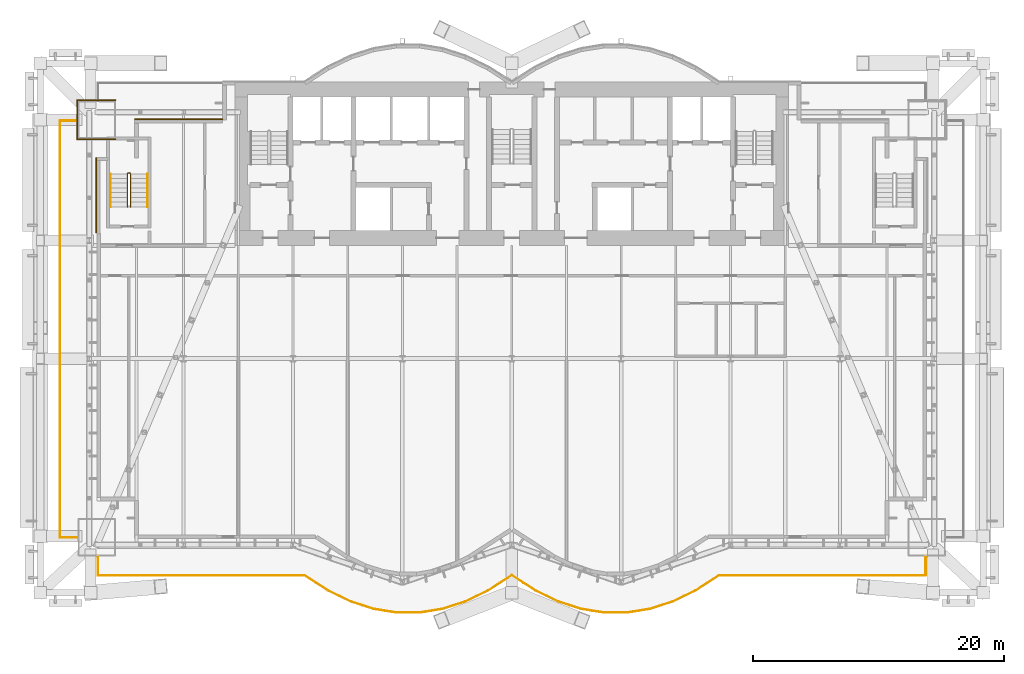
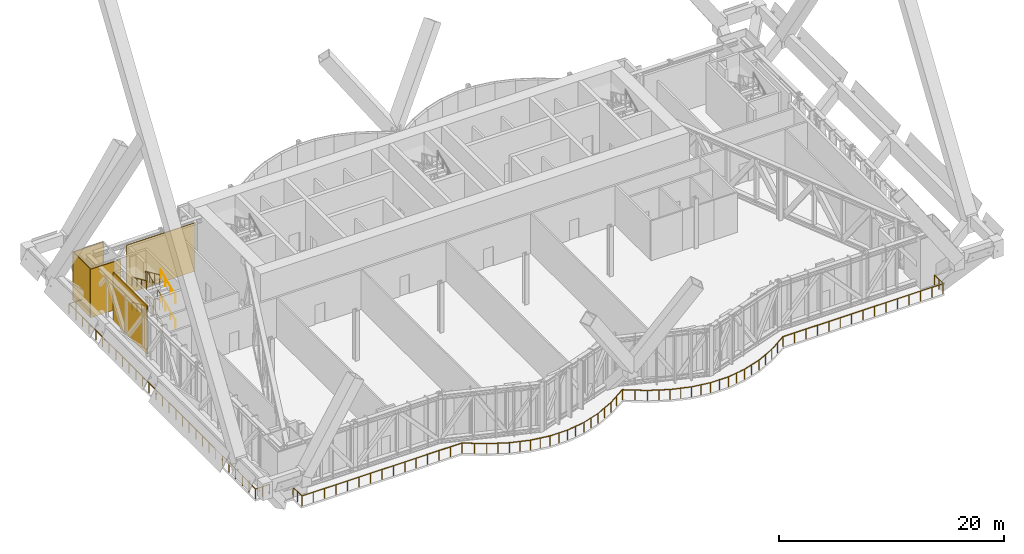
# One storey, part 30 of 32: 8 railings, 5 coverings.
"""IFC4 building model written with IfcOpenShell, lengths in metres."""

from ifc_helpers import new_model, si_unit, direction, frame, origin, origin_2d, place, context, subcontext, project, spatial, rectangle, circle, extrude, material, layer, layer_set, type_object, element, save


model = new_model("IFC4")

# Units and contexts
model_context = context("Model", 3, precision=1e-05, world=origin(), true_north=direction((0.0, 1.0)))
body_context = subcontext(model_context, "Body", "Model", "MODEL_VIEW")
ifc_project = project(units=[si_unit("LENGTHUNIT", "METRE"), si_unit("AREAUNIT", "SQUARE_METRE"), si_unit("VOLUMEUNIT", "CUBIC_METRE"), si_unit("PLANEANGLEUNIT", "RADIAN"), si_unit("MASSUNIT", "GRAM", prefix="KILO")], contexts=[model_context])

# Site, building, storey
site_placement = place(None, origin())
site = spatial("IfcSite", under=ifc_project, at=site_placement, CompositionType="ELEMENT")
building_placement = place(site_placement, origin())
building = spatial("IfcBuilding", under=site, at=building_placement, Name="Bicima Exchange Tower", CompositionType="ELEMENT")
storey_placement = place(building_placement, frame((0.0, 0.0, 84.5)))
storey = spatial("IfcBuildingStorey", under=building, at=storey_placement, Name="L17", CompositionType="ELEMENT", Elevation=84.5)

# Coverings
ifc_material_1 = material(Name="Bronze metal cladding")
ifc_layer_1 = layer(ifc_material_1, 0.004)
ifc_material_2 = material(Name="Ventilated cavity")
ifc_layer_2 = layer(ifc_material_2, 0.06)
ifc_material_3 = material(Name="Galvanised steel rail and mineral wool", Category="steel")
ifc_layer_3 = layer(ifc_material_3, 0.036)
ifc_layer_set = layer_set([ifc_layer_1, ifc_layer_2, ifc_layer_3], Name="Ventilated cavity")
covering_type = type_object("IfcCoveringType", Name="Bronze metal cladding panel 100", PredefinedType="CLADDING", material=ifc_layer_set)
covering_1_placement = place(storey_placement, frame((-26.5, -2.949951171875, 0.0), z_axis=(0.0, 0.0, 1.0), x_axis=(-1.0, 0.0, 0.0)))
element("IfcCovering", 1, at=covering_1_placement, inside=storey, type_object=covering_type, Name="Bronze cladding L17 28.1", PredefinedType="CLADDING", context=body_context, shape_type="SweptSolid", body=[
    extrude(rectangle(XDim=7.0, YDim=0.10009765625, at=origin_2d()), origin(), (0.0, 0.0, 1.0), 5.25),
])
covering_2_placement = place(storey_placement, frame((-33.050048828125, -9.0, 0.0), z_axis=(0.0, 0.0, 1.0), x_axis=(0.0, -1.0, 0.0)))
element("IfcCovering", 2, at=covering_2_placement, inside=storey, type_object=covering_type, Name="Bronze cladding L17 31.1", PredefinedType="CLADDING", context=body_context, shape_type="SweptSolid", body=[
    extrude(rectangle(XDim=6.0, YDim=0.10009765625, at=origin_2d()), origin(), (0.0, 0.0, 1.0), 5.25),
])
for number, where, z_axis, x_axis, name in (
    (3, (-33.050048828125, -1.449951171875, 0.0), (0.0, 0.0, 1.0), (1.0, 0.0, 0.0), "Column cladding L17 1N"),
    (4, (-33.050048828125, -4.550048828125, 0.0), (0.0, 0.0, 1.0), (1.0, 0.0, 0.0), "Column cladding L17 1S"),
):
    element("IfcCovering", number, at=place(storey_placement, frame(where, z_axis=z_axis, x_axis=x_axis)), inside=storey, type_object=covering_type, Name=name, PredefinedType="CLADDING", context=body_context, shape_type="SweptSolid", body=[
        extrude(rectangle(XDim=3.10009765625, YDim=0.10009765625, at=origin_2d()), origin(), (0.0, 0.0, 1.0), 5.25),
    ])
covering_3_placement = place(storey_placement, frame((-34.550048828125, -3.0, 0.0), z_axis=(0.0, 0.0, 1.0), x_axis=(1.0, 0.0, 0.0)))
element("IfcCovering", 5, at=covering_3_placement, inside=storey, type_object=covering_type, Name="Column cladding L17 1O", PredefinedType="CLADDING", context=body_context, shape_type="SweptSolid", body=[
    extrude(rectangle(XDim=0.10009765625, YDim=3.0, at=origin_2d()), origin(), (0.0, 0.0, 1.0), 5.25),
])

# Railings
ifc_material_4 = material(Name="Stainless steel", Category="steel")
railing_type_1 = type_object("IfcRailingType", Name="Stair guard 1100", PredefinedType="GUARDRAIL", material=ifc_material_4)
railing_1_placement = place(storey_placement, frame((-30.324951171875, -9.925048828125, 0.168701171875)))
element("IfcRailing", 6, at=railing_1_placement, inside=storey, type_object=railing_type_1, Name="L17 ST-WW stair guard 1", PredefinedType="GUARDRAIL", context=body_context, shape_type="SweptSolid", body=[
    extrude(circle(Radius=0.02392578125, at=origin_2d()), frame((0.0, 0.0, 1.076171875), z_axis=(0.0, 0.912201722539, 0.409741403079), x_axis=(-1.0, 0.0, 0.0)), (0.0, 0.0, 1.0), 2.88330078125),
    extrude(circle(Radius=0.02392578125, at=origin_2d()), frame((0.0, 2.630126953125, 2.25732421875), z_axis=(-0.708833529934, 0.705375805398, 0.0), x_axis=(-0.705375805398, -0.708833529934, 0.0)), (0.0, 0.0, 1.0), 0.070556640625),
    extrude(circle(Radius=0.02392578125, at=origin_2d()), frame((-0.050048828125, 2.679931640625, 2.25732421875), z_axis=(-1.0, 0.0, 0.0), x_axis=(0.0, -1.0, 0.0)), (0.0, 0.0, 1.0), 0.14990234375),
    extrude(circle(Radius=0.02392578125, at=origin_2d()), frame((-0.199951171875, 2.679931640625, 2.25732421875), z_axis=(-0.273668752699, -0.272333783174, 0.922463942026), x_axis=(0.705375805398, -0.708833529934, 0.0)), (0.0, 0.0, 1.0), 0.182861328125),
    extrude(circle(Radius=0.02392578125, at=origin_2d()), frame((-0.25, 2.630126953125, 2.42626953125), z_axis=(0.0, -0.912233369549, 0.409670940488), x_axis=(1.0, 0.0, 0.0)), (0.0, 0.0, 1.0), 2.883056640625),
    extrude(circle(Radius=0.02099609375, at=origin_2d()), origin(), (0.0, 0.0, 1.0), 1.052001953125),
    extrude(circle(Radius=0.02099609375, at=origin_2d()), frame((0.0, 0.876708984375, 0.393798828125)), (0.0, 0.0, 1.0), 1.052001953125),
    extrude(circle(Radius=0.02099609375, at=origin_2d()), frame((0.0, 1.75341796875, 0.78759765625)), (0.0, 0.0, 1.0), 1.052001953125),
    extrude(circle(Radius=0.02099609375, at=origin_2d()), frame((0.0, 2.630126953125, 1.181396484375)), (0.0, 0.0, 1.0), 1.052001953125),
    extrude(circle(Radius=0.02099609375, at=origin_2d()), frame((-0.050048828125, 2.679931640625, 1.181396484375)), (0.0, 0.0, 1.0), 1.052001953125),
    extrude(circle(Radius=0.02099609375, at=origin_2d()), frame((-0.199951171875, 2.679931640625, 1.181396484375)), (0.0, 0.0, 1.0), 1.052001953125),
    extrude(circle(Radius=0.02099609375, at=origin_2d()), frame((-0.25, 2.630126953125, 1.35009765625)), (0.0, 0.0, 1.0), 1.052001953125),
    extrude(circle(Radius=0.02099609375, at=origin_2d()), frame((-0.25, 1.75341796875, 1.743896484375)), (0.0, 0.0, 1.0), 1.052001953125),
    extrude(circle(Radius=0.02099609375, at=origin_2d()), frame((-0.25, 0.876708984375, 2.137451171875)), (0.0, 0.0, 1.0), 1.052001953125),
    extrude(circle(Radius=0.02099609375, at=origin_2d()), frame((-0.25, 0.0, 2.53125)), (0.0, 0.0, 1.0), 1.052001953125),
])
railing_2_placement = place(storey_placement, frame((-30.324951171875, -9.925048828125, 2.86865234375)))
element("IfcRailing", 7, at=railing_2_placement, inside=storey, type_object=railing_type_1, Name="L17 ST-WW stair guard 2", PredefinedType="GUARDRAIL", context=body_context, shape_type="SweptSolid", body=[
    extrude(circle(Radius=0.02392578125, at=origin_2d()), frame((0.0, 0.0, 1.076171875), z_axis=(0.0, 0.912201722539, 0.409741403079), x_axis=(-1.0, 0.0, 0.0)), (0.0, 0.0, 1.0), 2.88330078125),
    extrude(circle(Radius=0.02392578125, at=origin_2d()), frame((0.0, 2.630126953125, 2.25732421875), z_axis=(-0.708833529934, 0.705375805398, 0.0), x_axis=(-0.705375805398, -0.708833529934, 0.0)), (0.0, 0.0, 1.0), 0.070556640625),
    extrude(circle(Radius=0.02392578125, at=origin_2d()), frame((-0.050048828125, 2.679931640625, 2.25732421875), z_axis=(-1.0, 0.0, 0.0), x_axis=(0.0, -1.0, 0.0)), (0.0, 0.0, 1.0), 0.14990234375),
    extrude(circle(Radius=0.02392578125, at=origin_2d()), frame((-0.199951171875, 2.679931640625, 2.25732421875), z_axis=(-0.273668752699, -0.272333783174, 0.922463942026), x_axis=(0.705375805398, -0.708833529934, 0.0)), (0.0, 0.0, 1.0), 0.182861328125),
    extrude(circle(Radius=0.02392578125, at=origin_2d()), frame((-0.25, 2.630126953125, 2.42626953125), z_axis=(0.0, -0.912233369549, 0.409670940488), x_axis=(1.0, 0.0, 0.0)), (0.0, 0.0, 1.0), 2.883056640625),
    extrude(circle(Radius=0.02099609375, at=origin_2d()), origin(), (0.0, 0.0, 1.0), 1.052001953125),
    extrude(circle(Radius=0.02099609375, at=origin_2d()), frame((0.0, 0.876708984375, 0.393798828125)), (0.0, 0.0, 1.0), 1.052001953125),
    extrude(circle(Radius=0.02099609375, at=origin_2d()), frame((0.0, 1.75341796875, 0.78759765625)), (0.0, 0.0, 1.0), 1.052001953125),
    extrude(circle(Radius=0.02099609375, at=origin_2d()), frame((0.0, 2.630126953125, 1.181396484375)), (0.0, 0.0, 1.0), 1.052001953125),
    extrude(circle(Radius=0.02099609375, at=origin_2d()), frame((-0.050048828125, 2.679931640625, 1.181396484375)), (0.0, 0.0, 1.0), 1.052001953125),
    extrude(circle(Radius=0.02099609375, at=origin_2d()), frame((-0.199951171875, 2.679931640625, 1.181396484375)), (0.0, 0.0, 1.0), 1.052001953125),
    extrude(circle(Radius=0.02099609375, at=origin_2d()), frame((-0.25, 2.630126953125, 1.35009765625)), (0.0, 0.0, 1.0), 1.052001953125),
    extrude(circle(Radius=0.02099609375, at=origin_2d()), frame((-0.25, 1.75341796875, 1.743896484375)), (0.0, 0.0, 1.0), 1.052001953125),
    extrude(circle(Radius=0.02099609375, at=origin_2d()), frame((-0.25, 0.876708984375, 2.137451171875)), (0.0, 0.0, 1.0), 1.052001953125),
    extrude(circle(Radius=0.02099609375, at=origin_2d()), frame((-0.25, 0.0, 2.53125)), (0.0, 0.0, 1.0), 1.052001953125),
])
railing_type_2 = type_object("IfcRailingType", Name="Stair handrail 900", PredefinedType="HANDRAIL", material=ifc_material_4)
railing_3_placement = place(storey_placement, frame((-28.97509765625, -9.925048828125, 0.168701171875)))
element("IfcRailing", 8, at=railing_3_placement, inside=storey, type_object=railing_type_2, Name="L17 ST-WW stair handrail 1", PredefinedType="HANDRAIL", context=body_context, shape_type="SweptSolid", body=[
    extrude(circle(Radius=0.02392578125, at=origin_2d()), frame((0.0, 0.0, 0.8759765625), z_axis=(0.0, 0.912201722539, 0.409741403079), x_axis=(-1.0, 0.0, 0.0)), (0.0, 0.0, 1.0), 2.88330078125),
    extrude(circle(Radius=0.02099609375, at=origin_2d()), origin(), (0.0, 0.0, 1.0), 0.851806640625),
    extrude(circle(Radius=0.02099609375, at=origin_2d()), frame((0.0, 0.876708984375, 0.393798828125)), (0.0, 0.0, 1.0), 0.851806640625),
    extrude(circle(Radius=0.02099609375, at=origin_2d()), frame((0.0, 1.75341796875, 0.78759765625)), (0.0, 0.0, 1.0), 0.851806640625),
    extrude(circle(Radius=0.02099609375, at=origin_2d()), frame((0.0, 2.630126953125, 1.181396484375)), (0.0, 0.0, 1.0), 0.851806640625),
])
railing_4_placement = place(storey_placement, frame((-31.925048828125, -7.294921875, 1.518798828125)))
element("IfcRailing", 9, at=railing_4_placement, inside=storey, type_object=railing_type_2, Name="L17 ST-WW stair handrail 2", PredefinedType="HANDRAIL", context=body_context, shape_type="SweptSolid", body=[
    extrude(circle(Radius=0.02392578125, at=origin_2d()), frame((0.0, 0.0, 0.8759765625), z_axis=(0.0, -0.912233369549, 0.409670940488), x_axis=(1.0, 0.0, 0.0)), (0.0, 0.0, 1.0), 2.883056640625),
    extrude(circle(Radius=0.02099609375, at=origin_2d()), origin(), (0.0, 0.0, 1.0), 0.851806640625),
    extrude(circle(Radius=0.02099609375, at=origin_2d()), frame((0.0, -0.876708984375, 0.393798828125)), (0.0, 0.0, 1.0), 0.851806640625),
    extrude(circle(Radius=0.02099609375, at=origin_2d()), frame((0.0, -1.75341796875, 0.787353515625)), (0.0, 0.0, 1.0), 0.851806640625),
    extrude(circle(Radius=0.02099609375, at=origin_2d()), frame((0.0, -2.630126953125, 1.18115234375)), (0.0, 0.0, 1.0), 0.851806640625),
])
railing_5_placement = place(storey_placement, frame((-28.97509765625, -9.925048828125, 2.86865234375)))
element("IfcRailing", 10, at=railing_5_placement, inside=storey, type_object=railing_type_2, Name="L17 ST-WW stair handrail 3", PredefinedType="HANDRAIL", context=body_context, shape_type="SweptSolid", body=[
    extrude(circle(Radius=0.02392578125, at=origin_2d()), frame((0.0, 0.0, 0.8759765625), z_axis=(0.0, 0.912201722539, 0.409741403079), x_axis=(-1.0, 0.0, 0.0)), (0.0, 0.0, 1.0), 2.88330078125),
    extrude(circle(Radius=0.02099609375, at=origin_2d()), origin(), (0.0, 0.0, 1.0), 0.851806640625),
    extrude(circle(Radius=0.02099609375, at=origin_2d()), frame((0.0, 0.876708984375, 0.393798828125)), (0.0, 0.0, 1.0), 0.851806640625),
    extrude(circle(Radius=0.02099609375, at=origin_2d()), frame((0.0, 1.75341796875, 0.78759765625)), (0.0, 0.0, 1.0), 0.851806640625),
    extrude(circle(Radius=0.02099609375, at=origin_2d()), frame((0.0, 2.630126953125, 1.181396484375)), (0.0, 0.0, 1.0), 0.851806640625),
])
railing_6_placement = place(storey_placement, frame((-31.925048828125, -7.294921875, 4.241455078125)))
element("IfcRailing", 11, at=railing_6_placement, inside=storey, type_object=railing_type_2, Name="L17 ST-WW stair handrail 4", PredefinedType="HANDRAIL", context=body_context, shape_type="SweptSolid", body=[
    extrude(circle(Radius=0.02392578125, at=origin_2d()), frame((0.0, 0.0, 0.8759765625), z_axis=(0.0, -0.912201722539, 0.409741403079), x_axis=(1.0, 0.0, 0.0)), (0.0, 0.0, 1.0), 2.88330078125),
    extrude(circle(Radius=0.02099609375, at=origin_2d()), origin(), (0.0, 0.0, 1.0), 0.851806640625),
    extrude(circle(Radius=0.02099609375, at=origin_2d()), frame((0.0, -0.876708984375, 0.393798828125)), (0.0, 0.0, 1.0), 0.851806640625),
    extrude(circle(Radius=0.02099609375, at=origin_2d()), frame((0.0, -1.75341796875, 0.78759765625)), (0.0, 0.0, 1.0), 0.851806640625),
    extrude(circle(Radius=0.02099609375, at=origin_2d()), frame((0.0, -2.630126953125, 1.181396484375)), (0.0, 0.0, 1.0), 0.851806640625),
])
ifc_material_5 = material(Name="Stainless steel and bonded safety glass", Category="steel")
railing_type_3 = type_object("IfcRailingType", Name="Terrace guard 1100", PredefinedType="GUARDRAIL", material=ifc_material_5)
railing_7_placement = place(storey_placement, frame((-34.5, -36.236083984375, 0.0)))
element("IfcRailing", 12, at=railing_7_placement, inside=storey, type_object=railing_type_3, Name="Terrace guard L17 1", PredefinedType="GUARDRAIL", context=body_context, shape_type="SweptSolid", body=[
    extrude(circle(Radius=0.02392578125, at=origin_2d()), frame((0.0, 0.0, 1.076171875), z_axis=(-1.0, 0.0, 0.0), x_axis=(0.0, -1.0, 0.0)), (0.0, 0.0, 1.0), 1.419921875),
    extrude(circle(Radius=0.02392578125, at=origin_2d()), frame((-1.419921875, 0.0, 1.076171875), z_axis=(0.0, 1.0, 0.0), x_axis=(-1.0, 0.0, 0.0)), (0.0, 0.0, 1.0), 33.156005859375),
    extrude(circle(Radius=0.02392578125, at=origin_2d()), frame((-1.419921875, 33.156005859375, 1.076171875), z_axis=(1.0, 0.0, 0.0), x_axis=(0.0, 1.0, 0.0)), (0.0, 0.0, 1.0), 1.419921875),
    extrude(circle(Radius=0.02099609375, at=origin_2d()), origin(), (0.0, 0.0, 1.0), 1.052001953125),
    extrude(circle(Radius=0.02099609375, at=origin_2d()), frame((-0.7099609375, 0.0, 0.0)), (0.0, 0.0, 1.0), 1.052001953125),
    extrude(circle(Radius=0.02099609375, at=origin_2d()), frame((-1.419921875, 0.0, 0.0)), (0.0, 0.0, 1.0), 1.052001953125),
    extrude(circle(Radius=0.02099609375, at=origin_2d()), frame((-1.419921875, 1.18408203125, 0.0)), (0.0, 0.0, 1.0), 1.052001953125),
    extrude(circle(Radius=0.02099609375, at=origin_2d()), frame((-1.419921875, 2.3681640625, 0.0)), (0.0, 0.0, 1.0), 1.052001953125),
    extrude(circle(Radius=0.02099609375, at=origin_2d()), frame((-1.419921875, 3.552490234375, 0.0)), (0.0, 0.0, 1.0), 1.052001953125),
    extrude(circle(Radius=0.02099609375, at=origin_2d()), frame((-1.419921875, 4.736572265625, 0.0)), (0.0, 0.0, 1.0), 1.052001953125),
    extrude(circle(Radius=0.02099609375, at=origin_2d()), frame((-1.419921875, 5.920654296875, 0.0)), (0.0, 0.0, 1.0), 1.052001953125),
    extrude(circle(Radius=0.02099609375, at=origin_2d()), frame((-1.419921875, 7.10498046875, 0.0)), (0.0, 0.0, 1.0), 1.052001953125),
    extrude(circle(Radius=0.02099609375, at=origin_2d()), frame((-1.419921875, 8.2890625, 0.0)), (0.0, 0.0, 1.0), 1.052001953125),
    extrude(circle(Radius=0.02099609375, at=origin_2d()), frame((-1.419921875, 9.47314453125, 0.0)), (0.0, 0.0, 1.0), 1.052001953125),
    extrude(circle(Radius=0.02099609375, at=origin_2d()), frame((-1.419921875, 10.6572265625, 0.0)), (0.0, 0.0, 1.0), 1.052001953125),
    extrude(circle(Radius=0.02099609375, at=origin_2d()), frame((-1.419921875, 11.84130859375, 0.0)), (0.0, 0.0, 1.0), 1.052001953125),
    extrude(circle(Radius=0.02099609375, at=origin_2d()), frame((-1.419921875, 13.025634765625, 0.0)), (0.0, 0.0, 1.0), 1.052001953125),
    extrude(circle(Radius=0.02099609375, at=origin_2d()), frame((-1.419921875, 14.209716796875, 0.0)), (0.0, 0.0, 1.0), 1.052001953125),
    extrude(circle(Radius=0.02099609375, at=origin_2d()), frame((-1.419921875, 15.393798828125, 0.0)), (0.0, 0.0, 1.0), 1.052001953125),
    extrude(circle(Radius=0.02099609375, at=origin_2d()), frame((-1.419921875, 16.578125, 0.0)), (0.0, 0.0, 1.0), 1.052001953125),
    extrude(circle(Radius=0.02099609375, at=origin_2d()), frame((-1.419921875, 17.76220703125, 0.0)), (0.0, 0.0, 1.0), 1.052001953125),
    extrude(circle(Radius=0.02099609375, at=origin_2d()), frame((-1.419921875, 18.9462890625, 0.0)), (0.0, 0.0, 1.0), 1.052001953125),
    extrude(circle(Radius=0.02099609375, at=origin_2d()), frame((-1.419921875, 20.13037109375, 0.0)), (0.0, 0.0, 1.0), 1.052001953125),
    extrude(circle(Radius=0.02099609375, at=origin_2d()), frame((-1.419921875, 21.314453125, 0.0)), (0.0, 0.0, 1.0), 1.052001953125),
    extrude(circle(Radius=0.02099609375, at=origin_2d()), frame((-1.419921875, 22.498779296875, 0.0)), (0.0, 0.0, 1.0), 1.052001953125),
    extrude(circle(Radius=0.02099609375, at=origin_2d()), frame((-1.419921875, 23.682861328125, 0.0)), (0.0, 0.0, 1.0), 1.052001953125),
    extrude(circle(Radius=0.02099609375, at=origin_2d()), frame((-1.419921875, 24.866943359375, 0.0)), (0.0, 0.0, 1.0), 1.052001953125),
    extrude(circle(Radius=0.02099609375, at=origin_2d()), frame((-1.419921875, 26.05126953125, 0.0)), (0.0, 0.0, 1.0), 1.052001953125),
    extrude(circle(Radius=0.02099609375, at=origin_2d()), frame((-1.419921875, 27.2353515625, 0.0)), (0.0, 0.0, 1.0), 1.052001953125),
    extrude(circle(Radius=0.02099609375, at=origin_2d()), frame((-1.419921875, 28.41943359375, 0.0)), (0.0, 0.0, 1.0), 1.052001953125),
    extrude(circle(Radius=0.02099609375, at=origin_2d()), frame((-1.419921875, 29.603515625, 0.0)), (0.0, 0.0, 1.0), 1.052001953125),
    extrude(circle(Radius=0.02099609375, at=origin_2d()), frame((-1.419921875, 30.78759765625, 0.0)), (0.0, 0.0, 1.0), 1.052001953125),
    extrude(circle(Radius=0.02099609375, at=origin_2d()), frame((-1.419921875, 31.971923828125, 0.0)), (0.0, 0.0, 1.0), 1.052001953125),
    extrude(circle(Radius=0.02099609375, at=origin_2d()), frame((-1.419921875, 33.156005859375, 0.0)), (0.0, 0.0, 1.0), 1.052001953125),
    extrude(circle(Radius=0.02099609375, at=origin_2d()), frame((-0.7099609375, 33.156005859375, 0.0)), (0.0, 0.0, 1.0), 1.052001953125),
    extrude(circle(Radius=0.02099609375, at=origin_2d()), frame((0.0, 33.156005859375, 0.0)), (0.0, 0.0, 1.0), 1.052001953125),
])
railing_8_placement = place(storey_placement, frame((32.919921875, -37.694091796875, 0.0)))
element("IfcRailing", 13, at=railing_8_placement, inside=storey, type_object=railing_type_3, Name="Terrace guard L17 5", PredefinedType="GUARDRAIL", context=body_context, shape_type="SweptSolid", body=[
    extrude(circle(Radius=0.02392578125, at=origin_2d()), frame((0.0, 0.0, 1.076171875), z_axis=(0.0, -1.0, 0.0), x_axis=(1.0, 0.0, 0.0)), (0.0, 0.0, 1.0), 1.5419921875),
    extrude(circle(Radius=0.02392578125, at=origin_2d()), frame((0.0, -1.5419921875, 1.076171875), z_axis=(-1.0, 0.0, 0.0), x_axis=(0.0, -1.0, 0.0)), (0.0, 0.0, 1.0), 16.443603515625),
    extrude(circle(Radius=0.02392578125, at=origin_2d()), frame((-16.443603515625, -1.5419921875, 1.076171875), z_axis=(-0.839781328468, -0.542924783333, 0.0), x_axis=(0.542924783333, -0.839781328468, 0.0)), (0.0, 0.0, 1.0), 2.20166015625),
    extrude(circle(Radius=0.02392578125, at=origin_2d()), frame((-18.29248046875, -2.7373046875, 1.076171875), z_axis=(-0.899828434483, -0.436243955253, 0.0), x_axis=(0.436243955253, -0.899828434483, 0.0)), (0.0, 0.0, 1.0), 2.027099609375),
    extrude(circle(Radius=0.02392578125, at=origin_2d()), frame((-20.116455078125, -3.62158203125, 1.076171875), z_axis=(-0.951512577921, -0.307609840638, 0.0), x_axis=(0.307609840638, -0.951512577921, 0.0)), (0.0, 0.0, 1.0), 1.9150390625),
    extrude(circle(Radius=0.02392578125, at=origin_2d()), frame((-21.938720703125, -4.210693359375, 1.076171875), z_axis=(-0.987197453363, -0.159502940641, 0.0), x_axis=(0.159502940641, -0.987197453363, 0.0)), (0.0, 0.0, 1.0), 1.844482421875),
    extrude(circle(Radius=0.02392578125, at=origin_2d()), frame((-23.759521484375, -4.5048828125, 1.076171875), z_axis=(-1.0, 0.0, 0.0), x_axis=(0.0, -1.0, 0.0)), (0.0, 0.0, 1.0), 1.82080078125),
    extrude(circle(Radius=0.02392578125, at=origin_2d()), frame((-25.580322265625, -4.5048828125, 1.076171875), z_axis=(-0.987197453363, 0.159502940641, 0.0), x_axis=(-0.159502940641, -0.987197453363, 0.0)), (0.0, 0.0, 1.0), 1.844482421875),
    extrude(circle(Radius=0.02392578125, at=origin_2d()), frame((-27.401123046875, -4.210693359375, 1.076171875), z_axis=(-0.951512577921, 0.307609840638, 0.0), x_axis=(-0.307609840638, -0.951512577921, 0.0)), (0.0, 0.0, 1.0), 1.9150390625),
    extrude(circle(Radius=0.02392578125, at=origin_2d()), frame((-29.223388671875, -3.62158203125, 1.076171875), z_axis=(-0.899828434483, 0.436243955253, 0.0), x_axis=(-0.436243955253, -0.899828434483, 0.0)), (0.0, 0.0, 1.0), 2.027099609375),
    extrude(circle(Radius=0.02392578125, at=origin_2d()), frame((-31.04736328125, -2.7373046875, 1.076171875), z_axis=(-0.839766911995, 0.542947081693, 0.0), x_axis=(-0.542947081693, -0.839766911995, 0.0)), (0.0, 0.0, 1.0), 2.229736328125),
    extrude(circle(Radius=0.02392578125, at=origin_2d()), frame((-32.919921875, -1.526611328125, 1.076171875), z_axis=(-0.839766911995, -0.542947081693, 0.0), x_axis=(0.542947081693, -0.839766911995, 0.0)), (0.0, 0.0, 1.0), 2.229736328125),
    extrude(circle(Radius=0.02392578125, at=origin_2d()), frame((-34.79248046875, -2.7373046875, 1.076171875), z_axis=(-0.899828434483, -0.436243955253, 0.0), x_axis=(0.436243955253, -0.899828434483, 0.0)), (0.0, 0.0, 1.0), 2.027099609375),
    extrude(circle(Radius=0.02392578125, at=origin_2d()), frame((-36.616455078125, -3.62158203125, 1.076171875), z_axis=(-0.951512577921, -0.307609840638, 0.0), x_axis=(0.307609840638, -0.951512577921, 0.0)), (0.0, 0.0, 1.0), 1.9150390625),
    extrude(circle(Radius=0.02392578125, at=origin_2d()), frame((-38.438720703125, -4.210693359375, 1.076171875), z_axis=(-0.987197453363, -0.159502940641, 0.0), x_axis=(0.159502940641, -0.987197453363, 0.0)), (0.0, 0.0, 1.0), 1.844482421875),
    extrude(circle(Radius=0.02392578125, at=origin_2d()), frame((-40.259521484375, -4.5048828125, 1.076171875), z_axis=(-1.0, 0.0, 0.0), x_axis=(0.0, -1.0, 0.0)), (0.0, 0.0, 1.0), 1.82080078125),
    extrude(circle(Radius=0.02392578125, at=origin_2d()), frame((-42.080322265625, -4.5048828125, 1.076171875), z_axis=(-0.987197453363, 0.159502940641, 0.0), x_axis=(-0.159502940641, -0.987197453363, 0.0)), (0.0, 0.0, 1.0), 1.844482421875),
    extrude(circle(Radius=0.02392578125, at=origin_2d()), frame((-43.901123046875, -4.210693359375, 1.076171875), z_axis=(-0.951512577921, 0.307609840638, 0.0), x_axis=(-0.307609840638, -0.951512577921, 0.0)), (0.0, 0.0, 1.0), 1.9150390625),
    extrude(circle(Radius=0.02392578125, at=origin_2d()), frame((-45.723388671875, -3.62158203125, 1.076171875), z_axis=(-0.899828434483, 0.436243955253, 0.0), x_axis=(-0.436243955253, -0.899828434483, 0.0)), (0.0, 0.0, 1.0), 2.027099609375),
    extrude(circle(Radius=0.02392578125, at=origin_2d()), frame((-47.54736328125, -2.7373046875, 1.076171875), z_axis=(-0.839781328468, 0.542924783333, 0.0), x_axis=(-0.542924783333, -0.839781328468, 0.0)), (0.0, 0.0, 1.0), 2.20166015625),
    extrude(circle(Radius=0.02392578125, at=origin_2d()), frame((-49.396240234375, -1.5419921875, 1.076171875), z_axis=(-1.0, 0.0, 0.0), x_axis=(0.0, -1.0, 0.0)), (0.0, 0.0, 1.0), 16.443603515625),
    extrude(circle(Radius=0.02392578125, at=origin_2d()), frame((-65.83984375, -1.5419921875, 1.076171875), z_axis=(0.0, 1.0, 0.0), x_axis=(-1.0, 0.0, 0.0)), (0.0, 0.0, 1.0), 1.5419921875),
    extrude(circle(Radius=0.02099609375, at=origin_2d()), origin(), (0.0, 0.0, 1.0), 1.052001953125),
    extrude(circle(Radius=0.02099609375, at=origin_2d()), frame((0.0, -0.77099609375, 0.0)), (0.0, 0.0, 1.0), 1.052001953125),
    extrude(circle(Radius=0.02099609375, at=origin_2d()), frame((0.0, -1.5419921875, 0.0)), (0.0, 0.0, 1.0), 1.052001953125),
    extrude(circle(Radius=0.02099609375, at=origin_2d()), frame((-1.174560546875, -1.5419921875, 0.0)), (0.0, 0.0, 1.0), 1.052001953125),
    extrude(circle(Radius=0.02099609375, at=origin_2d()), frame((-2.34912109375, -1.5419921875, 0.0)), (0.0, 0.0, 1.0), 1.052001953125),
    extrude(circle(Radius=0.02099609375, at=origin_2d()), frame((-3.523681640625, -1.5419921875, 0.0)), (0.0, 0.0, 1.0), 1.052001953125),
    extrude(circle(Radius=0.02099609375, at=origin_2d()), frame((-4.6982421875, -1.5419921875, 0.0)), (0.0, 0.0, 1.0), 1.052001953125),
    extrude(circle(Radius=0.02099609375, at=origin_2d()), frame((-5.872802734375, -1.5419921875, 0.0)), (0.0, 0.0, 1.0), 1.052001953125),
    extrude(circle(Radius=0.02099609375, at=origin_2d()), frame((-7.04736328125, -1.5419921875, 0.0)), (0.0, 0.0, 1.0), 1.052001953125),
    extrude(circle(Radius=0.02099609375, at=origin_2d()), frame((-8.2216796875, -1.5419921875, 0.0)), (0.0, 0.0, 1.0), 1.052001953125),
    extrude(circle(Radius=0.02099609375, at=origin_2d()), frame((-9.396240234375, -1.5419921875, 0.0)), (0.0, 0.0, 1.0), 1.052001953125),
    extrude(circle(Radius=0.02099609375, at=origin_2d()), frame((-10.57080078125, -1.5419921875, 0.0)), (0.0, 0.0, 1.0), 1.052001953125),
    extrude(circle(Radius=0.02099609375, at=origin_2d()), frame((-11.745361328125, -1.5419921875, 0.0)), (0.0, 0.0, 1.0), 1.052001953125),
    extrude(circle(Radius=0.02099609375, at=origin_2d()), frame((-12.919921875, -1.5419921875, 0.0)), (0.0, 0.0, 1.0), 1.052001953125),
    extrude(circle(Radius=0.02099609375, at=origin_2d()), frame((-14.094482421875, -1.5419921875, 0.0)), (0.0, 0.0, 1.0), 1.052001953125),
    extrude(circle(Radius=0.02099609375, at=origin_2d()), frame((-15.26904296875, -1.5419921875, 0.0)), (0.0, 0.0, 1.0), 1.052001953125),
    extrude(circle(Radius=0.02099609375, at=origin_2d()), frame((-16.443603515625, -1.5419921875, 0.0)), (0.0, 0.0, 1.0), 1.052001953125),
    extrude(circle(Radius=0.02099609375, at=origin_2d()), frame((-17.3681640625, -2.1396484375, 0.0)), (0.0, 0.0, 1.0), 1.052001953125),
    extrude(circle(Radius=0.02099609375, at=origin_2d()), frame((-18.29248046875, -2.7373046875, 0.0)), (0.0, 0.0, 1.0), 1.052001953125),
    extrude(circle(Radius=0.02099609375, at=origin_2d()), frame((-19.20458984375, -3.179443359375, 0.0)), (0.0, 0.0, 1.0), 1.052001953125),
    extrude(circle(Radius=0.02099609375, at=origin_2d()), frame((-20.116455078125, -3.62158203125, 0.0)), (0.0, 0.0, 1.0), 1.052001953125),
    extrude(circle(Radius=0.02099609375, at=origin_2d()), frame((-21.027587890625, -3.916015625, 0.0)), (0.0, 0.0, 1.0), 1.052001953125),
    extrude(circle(Radius=0.02099609375, at=origin_2d()), frame((-21.938720703125, -4.210693359375, 0.0)), (0.0, 0.0, 1.0), 1.052001953125),
    extrude(circle(Radius=0.02099609375, at=origin_2d()), frame((-22.84912109375, -4.35791015625, 0.0)), (0.0, 0.0, 1.0), 1.052001953125),
    extrude(circle(Radius=0.02099609375, at=origin_2d()), frame((-23.759521484375, -4.5048828125, 0.0)), (0.0, 0.0, 1.0), 1.052001953125),
    extrude(circle(Radius=0.02099609375, at=origin_2d()), frame((-24.669921875, -4.5048828125, 0.0)), (0.0, 0.0, 1.0), 1.052001953125),
    extrude(circle(Radius=0.02099609375, at=origin_2d()), frame((-25.580322265625, -4.5048828125, 0.0)), (0.0, 0.0, 1.0), 1.052001953125),
    extrude(circle(Radius=0.02099609375, at=origin_2d()), frame((-26.49072265625, -4.35791015625, 0.0)), (0.0, 0.0, 1.0), 1.052001953125),
    extrude(circle(Radius=0.02099609375, at=origin_2d()), frame((-27.401123046875, -4.210693359375, 0.0)), (0.0, 0.0, 1.0), 1.052001953125),
    extrude(circle(Radius=0.02099609375, at=origin_2d()), frame((-28.312255859375, -3.916015625, 0.0)), (0.0, 0.0, 1.0), 1.052001953125),
    extrude(circle(Radius=0.02099609375, at=origin_2d()), frame((-29.223388671875, -3.62158203125, 0.0)), (0.0, 0.0, 1.0), 1.052001953125),
    extrude(circle(Radius=0.02099609375, at=origin_2d()), frame((-30.13525390625, -3.179443359375, 0.0)), (0.0, 0.0, 1.0), 1.052001953125),
    extrude(circle(Radius=0.02099609375, at=origin_2d()), frame((-31.04736328125, -2.7373046875, 0.0)), (0.0, 0.0, 1.0), 1.052001953125),
    extrude(circle(Radius=0.02099609375, at=origin_2d()), frame((-31.983642578125, -2.1318359375, 0.0)), (0.0, 0.0, 1.0), 1.052001953125),
    extrude(circle(Radius=0.02099609375, at=origin_2d()), frame((-32.919921875, -1.526611328125, 0.0)), (0.0, 0.0, 1.0), 1.052001953125),
    extrude(circle(Radius=0.02099609375, at=origin_2d()), frame((-33.856201171875, -2.1318359375, 0.0)), (0.0, 0.0, 1.0), 1.052001953125),
    extrude(circle(Radius=0.02099609375, at=origin_2d()), frame((-34.79248046875, -2.7373046875, 0.0)), (0.0, 0.0, 1.0), 1.052001953125),
    extrude(circle(Radius=0.02099609375, at=origin_2d()), frame((-35.70458984375, -3.179443359375, 0.0)), (0.0, 0.0, 1.0), 1.052001953125),
    extrude(circle(Radius=0.02099609375, at=origin_2d()), frame((-36.616455078125, -3.62158203125, 0.0)), (0.0, 0.0, 1.0), 1.052001953125),
    extrude(circle(Radius=0.02099609375, at=origin_2d()), frame((-37.527587890625, -3.916015625, 0.0)), (0.0, 0.0, 1.0), 1.052001953125),
    extrude(circle(Radius=0.02099609375, at=origin_2d()), frame((-38.438720703125, -4.210693359375, 0.0)), (0.0, 0.0, 1.0), 1.052001953125),
    extrude(circle(Radius=0.02099609375, at=origin_2d()), frame((-39.34912109375, -4.35791015625, 0.0)), (0.0, 0.0, 1.0), 1.052001953125),
    extrude(circle(Radius=0.02099609375, at=origin_2d()), frame((-40.259521484375, -4.5048828125, 0.0)), (0.0, 0.0, 1.0), 1.052001953125),
    extrude(circle(Radius=0.02099609375, at=origin_2d()), frame((-41.169921875, -4.5048828125, 0.0)), (0.0, 0.0, 1.0), 1.052001953125),
    extrude(circle(Radius=0.02099609375, at=origin_2d()), frame((-42.080322265625, -4.5048828125, 0.0)), (0.0, 0.0, 1.0), 1.052001953125),
    extrude(circle(Radius=0.02099609375, at=origin_2d()), frame((-42.99072265625, -4.35791015625, 0.0)), (0.0, 0.0, 1.0), 1.052001953125),
    extrude(circle(Radius=0.02099609375, at=origin_2d()), frame((-43.901123046875, -4.210693359375, 0.0)), (0.0, 0.0, 1.0), 1.052001953125),
    extrude(circle(Radius=0.02099609375, at=origin_2d()), frame((-44.812255859375, -3.916015625, 0.0)), (0.0, 0.0, 1.0), 1.052001953125),
    extrude(circle(Radius=0.02099609375, at=origin_2d()), frame((-45.723388671875, -3.62158203125, 0.0)), (0.0, 0.0, 1.0), 1.052001953125),
    extrude(circle(Radius=0.02099609375, at=origin_2d()), frame((-46.63525390625, -3.179443359375, 0.0)), (0.0, 0.0, 1.0), 1.052001953125),
    extrude(circle(Radius=0.02099609375, at=origin_2d()), frame((-47.54736328125, -2.7373046875, 0.0)), (0.0, 0.0, 1.0), 1.052001953125),
    extrude(circle(Radius=0.02099609375, at=origin_2d()), frame((-48.4716796875, -2.1396484375, 0.0)), (0.0, 0.0, 1.0), 1.052001953125),
    extrude(circle(Radius=0.02099609375, at=origin_2d()), frame((-49.396240234375, -1.5419921875, 0.0)), (0.0, 0.0, 1.0), 1.052001953125),
    extrude(circle(Radius=0.02099609375, at=origin_2d()), frame((-50.57080078125, -1.5419921875, 0.0)), (0.0, 0.0, 1.0), 1.052001953125),
    extrude(circle(Radius=0.02099609375, at=origin_2d()), frame((-51.745361328125, -1.5419921875, 0.0)), (0.0, 0.0, 1.0), 1.052001953125),
    extrude(circle(Radius=0.02099609375, at=origin_2d()), frame((-52.919921875, -1.5419921875, 0.0)), (0.0, 0.0, 1.0), 1.052001953125),
    extrude(circle(Radius=0.02099609375, at=origin_2d()), frame((-54.094482421875, -1.5419921875, 0.0)), (0.0, 0.0, 1.0), 1.052001953125),
    extrude(circle(Radius=0.02099609375, at=origin_2d()), frame((-55.26904296875, -1.5419921875, 0.0)), (0.0, 0.0, 1.0), 1.052001953125),
    extrude(circle(Radius=0.02099609375, at=origin_2d()), frame((-56.443603515625, -1.5419921875, 0.0)), (0.0, 0.0, 1.0), 1.052001953125),
    extrude(circle(Radius=0.02099609375, at=origin_2d()), frame((-57.6181640625, -1.5419921875, 0.0)), (0.0, 0.0, 1.0), 1.052001953125),
    extrude(circle(Radius=0.02099609375, at=origin_2d()), frame((-58.79248046875, -1.5419921875, 0.0)), (0.0, 0.0, 1.0), 1.052001953125),
    extrude(circle(Radius=0.02099609375, at=origin_2d()), frame((-59.967041015625, -1.5419921875, 0.0)), (0.0, 0.0, 1.0), 1.052001953125),
    extrude(circle(Radius=0.02099609375, at=origin_2d()), frame((-61.1416015625, -1.5419921875, 0.0)), (0.0, 0.0, 1.0), 1.052001953125),
    extrude(circle(Radius=0.02099609375, at=origin_2d()), frame((-62.316162109375, -1.5419921875, 0.0)), (0.0, 0.0, 1.0), 1.052001953125),
    extrude(circle(Radius=0.02099609375, at=origin_2d()), frame((-63.49072265625, -1.5419921875, 0.0)), (0.0, 0.0, 1.0), 1.052001953125),
    extrude(circle(Radius=0.02099609375, at=origin_2d()), frame((-64.665283203125, -1.5419921875, 0.0)), (0.0, 0.0, 1.0), 1.052001953125),
    extrude(circle(Radius=0.02099609375, at=origin_2d()), frame((-65.83984375, -1.5419921875, 0.0)), (0.0, 0.0, 1.0), 1.052001953125),
    extrude(circle(Radius=0.02099609375, at=origin_2d()), frame((-65.83984375, -0.77099609375, 0.0)), (0.0, 0.0, 1.0), 1.052001953125),
    extrude(circle(Radius=0.02099609375, at=origin_2d()), frame((-65.83984375, 0.0, 0.0)), (0.0, 0.0, 1.0), 1.052001953125),
])

save(model, "model.ifc")
